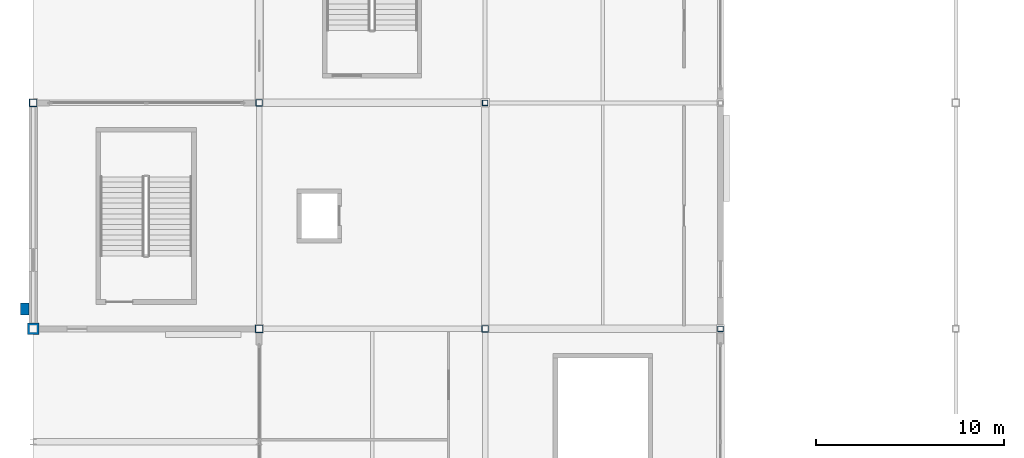
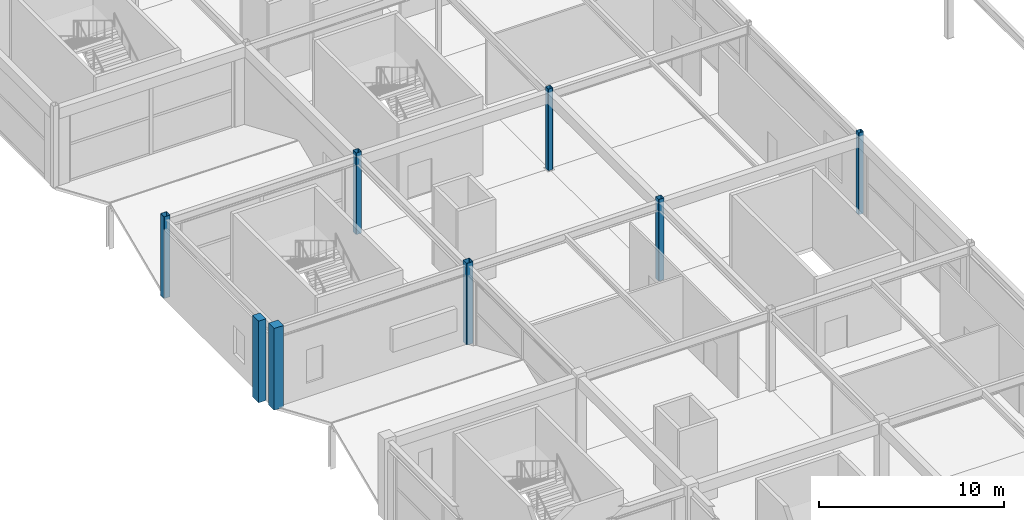
# One storey, part 7 of 105: 8 columns.
"""IFC4 building model written with IfcOpenShell, lengths in metres."""

from ifc_helpers import new_model, si_unit, direction, frame, origin, origin_2d, place, context, subcontext, project, spatial, rectangle, hollow_rectangle, extrude, material, material_profile, profile_set, type_object, element, save


model = new_model("IFC4")

# Units and contexts
model_context = context("Model", 3, precision=1e-05, world=origin(), true_north=direction((0.0, 1.0)))
body_context = subcontext(model_context, "Body", "Model", "MODEL_VIEW")
ifc_project = project(units=[si_unit("LENGTHUNIT", "METRE"), si_unit("AREAUNIT", "SQUARE_METRE"), si_unit("VOLUMEUNIT", "CUBIC_METRE"), si_unit("PLANEANGLEUNIT", "RADIAN"), si_unit("MASSUNIT", "GRAM", prefix="KILO")], contexts=[model_context])

# Site, building, storey
site_placement = place(None, origin())
site = spatial("IfcSite", under=ifc_project, at=site_placement, CompositionType="ELEMENT")
building_placement = place(site_placement, origin())
building = spatial("IfcBuilding", under=site, at=building_placement, Name="Kazenohara Klinker Stadium", CompositionType="ELEMENT")
storey_placement = place(building_placement, frame((0.0, 0.0, 20.39990234375)))
storey = spatial("IfcBuildingStorey", under=building, at=storey_placement, Name="L04", CompositionType="ELEMENT", Elevation=20.39990234375)

# Columns
ifc_material_1 = material(Name="Concrete C40/50", Category="concrete")
ifc_material_profile_1 = material_profile(ifc_material_1, rectangle(XDim=0.60009765625, YDim=0.60009765625, at=origin_2d()), Name="RC-COL-600x600")
ifc_profile_set_1 = profile_set([ifc_material_profile_1], Name="Concrete C40/50")
column_type_1 = type_object("IfcColumnType", Name="COL-RC07", PredefinedType="COLUMN", material=ifc_profile_set_1)
column_1_placement = place(storey_placement, frame((0.0, 84.0, 0.0), z_axis=(0.0, 0.0, 1.0), x_axis=(1.0, 0.0, 0.0)))
element("IfcColumn", 1, at=column_1_placement, inside=storey, type_object=column_type_1, Name="Column C07 L04 1/H", PredefinedType="COLUMN", context=body_context, shape_type="SweptSolid", body=[
    extrude(rectangle(XDim=0.60009765625, YDim=0.60009765625, at=origin_2d()), origin(), (0.0, 0.0, 1.0), 5.400146484375),
])
ifc_material_2 = material(Name="Steel S355", Category="steel")
ifc_material_profile_2 = material_profile(ifc_material_2, hollow_rectangle(XDim=0.39990234375, YDim=0.39990234375, WallThickness=0.01611328125, InnerFilletRadius=0.01611328125, OuterFilletRadius=0.031982421875, at=origin_2d()), Name="SHS-400x400x16")
ifc_profile_set_2 = profile_set([ifc_material_profile_2], Name="Steel S355")
column_type_2 = type_object("IfcColumnType", Name="COL-ST01", PredefinedType="COLUMN", material=ifc_profile_set_2)
for number, where, z_axis, x_axis, name in (
    (2, (0.0, 96.0, 0.0), (0.0, 0.0, 1.0), (1.0, 0.0, 0.0), "Column SC01 L04 1/J"),
    (3, (12.0, 84.0, 0.0), (0.0, 0.0, 1.0), (1.0, 0.0, 0.0), "Column SC01 L04 2/H"),
):
    element("IfcColumn", number, at=place(storey_placement, frame(where, z_axis=z_axis, x_axis=x_axis)), inside=storey, type_object=column_type_2, Name=name, PredefinedType="COLUMN", context=body_context, shape_type="SweptSolid", body=[
        extrude(hollow_rectangle(XDim=0.39990234375, YDim=0.39990234375, WallThickness=0.01611328125, InnerFilletRadius=0.01611328125, OuterFilletRadius=0.031982421875, at=origin_2d()), origin(), (0.0, 0.0, 1.0), 5.400146484375),
    ])
ifc_material_profile_3 = material_profile(ifc_material_2, hollow_rectangle(XDim=0.35009765625, YDim=0.35009765625, WallThickness=0.01611328125, InnerFilletRadius=0.01611328125, OuterFilletRadius=0.031982421875, at=origin_2d()), Name="SHS-350x350x16")
ifc_profile_set_3 = profile_set([ifc_material_profile_3], Name="Steel S355")
column_type_3 = type_object("IfcColumnType", Name="COL-ST02", PredefinedType="COLUMN", material=ifc_profile_set_3)
for number, where, z_axis, x_axis, name in (
    (4, (12.0, 96.0, 0.0), (0.0, 0.0, 1.0), (1.0, 0.0, 0.0), "Column SC02 L04 2/J"),
    (5, (24.0, 84.0, 0.0), (0.0, 0.0, 1.0), (1.0, 0.0, 0.0), "Column SC02 L04 3/H"),
):
    element("IfcColumn", number, at=place(storey_placement, frame(where, z_axis=z_axis, x_axis=x_axis)), inside=storey, type_object=column_type_3, Name=name, PredefinedType="COLUMN", context=body_context, shape_type="SweptSolid", body=[
        extrude(hollow_rectangle(XDim=0.35009765625, YDim=0.35009765625, WallThickness=0.01611328125, InnerFilletRadius=0.01611328125, OuterFilletRadius=0.031982421875, at=origin_2d()), origin(), (0.0, 0.0, 1.0), 5.400146484375),
    ])
ifc_material_profile_4 = material_profile(ifc_material_2, hollow_rectangle(XDim=0.300048828125, YDim=0.300048828125, WallThickness=0.011962890625, InnerFilletRadius=0.011962890625, OuterFilletRadius=0.02392578125, at=origin_2d()), Name="SHS-300x300x12")
ifc_profile_set_4 = profile_set([ifc_material_profile_4], Name="Steel S355")
column_type_4 = type_object("IfcColumnType", Name="COL-ST03", PredefinedType="COLUMN", material=ifc_profile_set_4)
for number, where, z_axis, x_axis, name in (
    (6, (24.0, 96.0, 0.0), (0.0, 0.0, 1.0), (1.0, 0.0, 0.0), "Column SC03 L04 3/J"),
    (7, (36.5, 84.0, 0.0), (0.0, 0.0, 1.0), (1.0, 0.0, 0.0), "Column SC03 L04 4/H"),
):
    element("IfcColumn", number, at=place(storey_placement, frame(where, z_axis=z_axis, x_axis=x_axis)), inside=storey, type_object=column_type_4, Name=name, PredefinedType="COLUMN", context=body_context, shape_type="SweptSolid", body=[
        extrude(hollow_rectangle(XDim=0.300048828125, YDim=0.300048828125, WallThickness=0.011962890625, InnerFilletRadius=0.011962890625, OuterFilletRadius=0.02392578125, at=origin_2d()), origin(), (0.0, 0.0, 1.0), 5.400146484375),
    ])
ifc_material_profile_5 = material_profile(ifc_material_1, rectangle(XDim=0.449951171875, YDim=0.64990234375, at=origin_2d()), Name="RC-PILASTER-450x650")
ifc_profile_set_5 = profile_set([ifc_material_profile_5], Name="Concrete C40/50")
column_type_5 = type_object("IfcColumnType", Name="PIL-RC01", PredefinedType="PILASTER", material=ifc_profile_set_5)
column_2_placement = place(storey_placement, frame((-0.449951171875, 85.050048828125, 0.0), z_axis=(0.0, 0.0, 1.0), x_axis=(1.0, 0.0, 0.0)))
element("IfcColumn", 8, at=column_2_placement, inside=storey, type_object=column_type_5, Name="Pleated facade pilaster PL01 L04 West-07", PredefinedType="PILASTER", context=body_context, shape_type="SweptSolid", body=[
    extrude(rectangle(XDim=0.449951171875, YDim=0.64990234375, at=origin_2d()), origin(), (0.0, 0.0, 1.0), 5.400146484375),
])

save(model, "model.ifc")
